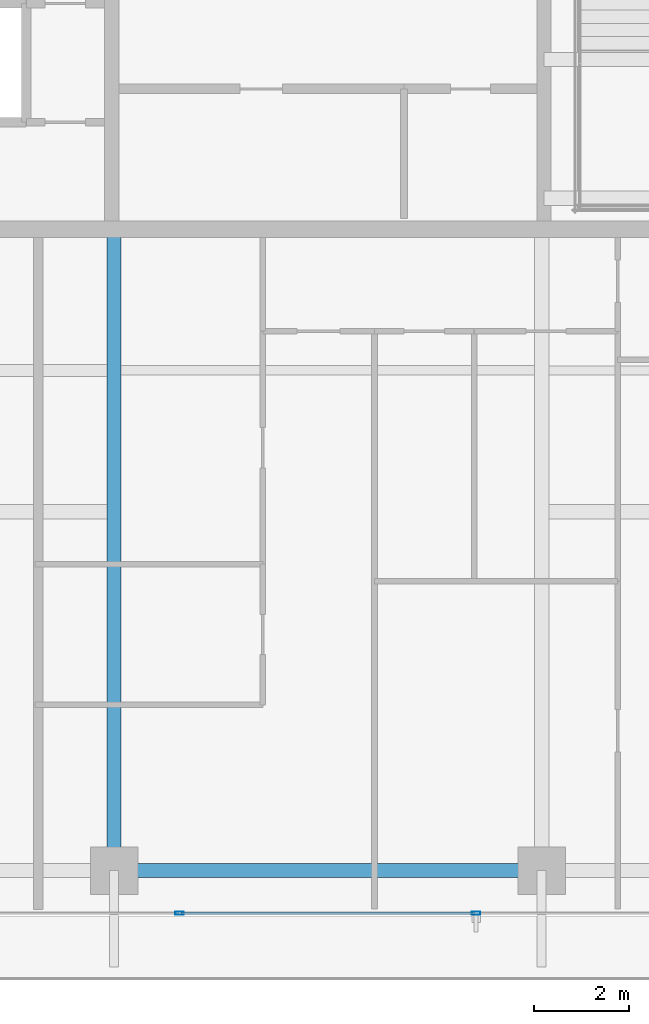
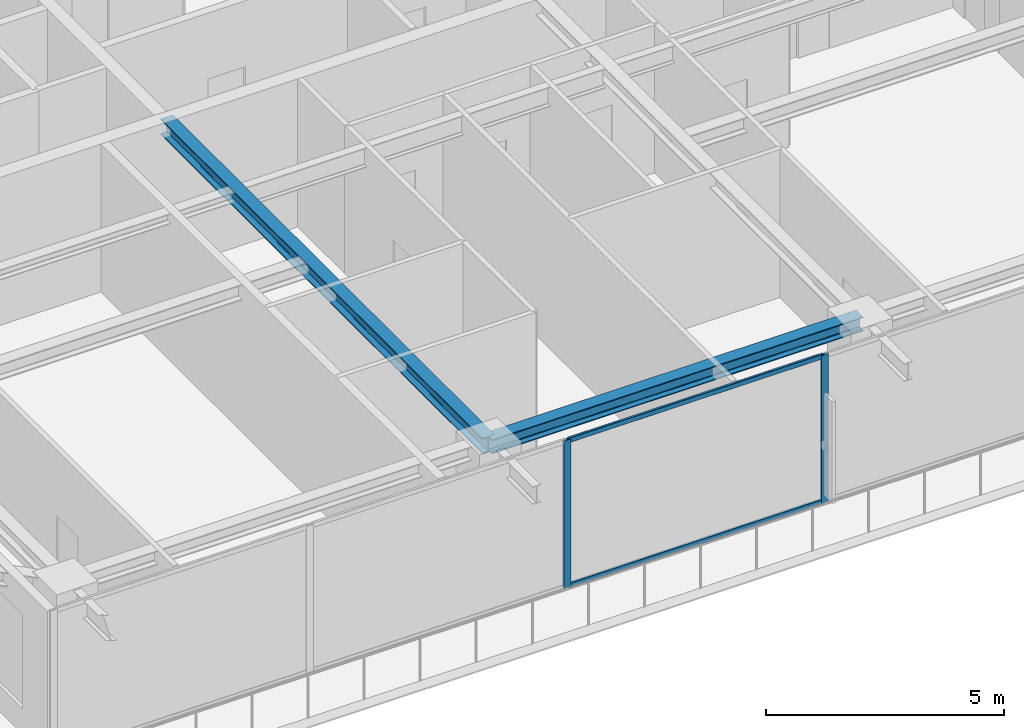
# One storey, part 6 of 40: 4 members, 2 beams, 1 element without a shape of its own.
"""IFC4 building model written with IfcOpenShell, lengths in metres."""

from ifc_helpers import new_model, si_unit, direction, frame, origin, origin_2d, place, context, subcontext, project, spatial, hollow_rectangle, i_section, extrude, source, transform, mapped, material, layer, layer_set, material_profile, profile_set, type_object, element, aggregate, save


model = new_model("IFC4")

# Units and contexts
model_context = context("Model", 3, precision=1e-05, world=origin(), true_north=direction((0.0, 1.0)))
body_context = subcontext(model_context, "Body", "Model", "MODEL_VIEW")
ifc_project = project(units=[si_unit("LENGTHUNIT", "METRE"), si_unit("AREAUNIT", "SQUARE_METRE"), si_unit("VOLUMEUNIT", "CUBIC_METRE"), si_unit("PLANEANGLEUNIT", "RADIAN"), si_unit("MASSUNIT", "GRAM", prefix="KILO")], contexts=[model_context])

# Site, building, storey
site_placement = place(None, origin())
site = spatial("IfcSite", under=ifc_project, at=site_placement, CompositionType="ELEMENT")
building_placement = place(site_placement, origin())
building = spatial("IfcBuilding", under=site, at=building_placement, Name="Serunith Strait Residences", CompositionType="ELEMENT")
storey_placement = place(building_placement, frame((0.0, 0.0, 313.699951171875)))
storey = spatial("IfcBuildingStorey", under=building, at=storey_placement, Name="L78", CompositionType="ELEMENT", Elevation=313.699951171875)

# Beams
ifc_material_1 = material(Name="Steel S355J2", Category="steel")
ifc_material_profile_1 = material_profile(ifc_material_1, i_section(OverallWidth=0.300048828125, OverallDepth=0.39990234375, WebThickness=0.013427734375, FlangeThickness=0.02392578125, FilletRadius=0.027099609375, at=origin_2d()), Name="HEB 400")
ifc_profile_set_1 = profile_set([ifc_material_profile_1], Name="Steel S355J2")
beam_type_1 = type_object("IfcBeamType", Name="BM-HEB400", PredefinedType="BEAM", material=ifc_profile_set_1)
shared_shape_1 = source(origin(), body_context, "Body", "SweptSolid", [
    extrude(i_section(OverallWidth=0.300048828125, OverallDepth=0.39990234375, WebThickness=0.013427734375, FlangeThickness=0.02392578125, FilletRadius=0.027099609375, at=origin_2d()), origin(), (0.0, 0.0, 1.0), 13.5),
])
beam_1_placement = place(storey_placement, frame((27.89990234375, 16.800048828125, 3.587158203125), z_axis=(0.0, -1.0, 0.0), x_axis=(1.0, 0.0, 0.0)))
element("IfcBeam", 1, at=beam_1_placement, inside=storey, type_object=beam_type_1, Name="L78 Primary Floor Girder TC-S2", PredefinedType="BEAM", context=body_context, shape_type="MappedRepresentation", body=[
    mapped(shared_shape_1, transform((0.0, 0.0, 0.0), scale=1.0)),
])
ifc_material_profile_2 = material_profile(ifc_material_1, i_section(OverallWidth=0.300048828125, OverallDepth=0.360107421875, WebThickness=0.012451171875, FlangeThickness=0.0224609375, FilletRadius=0.027099609375, at=origin_2d()), Name="HEB 360")
ifc_profile_set_2 = profile_set([ifc_material_profile_2], Name="Steel S355J2")
beam_type_2 = type_object("IfcBeamType", Name="BM-HEB360", PredefinedType="BEAM", material=ifc_profile_set_2)
shared_shape_2 = source(origin(), body_context, "Body", "SweptSolid", [
    extrude(i_section(OverallWidth=0.300048828125, OverallDepth=0.360107421875, WebThickness=0.012451171875, FlangeThickness=0.0224609375, FilletRadius=0.027099609375, at=origin_2d()), origin(), (0.0, 0.0, 1.0), 9.0),
])
beam_2_placement = place(storey_placement, frame((27.89990234375, 3.300048828125, 3.60693359375), z_axis=(1.0, 0.0, 0.0), x_axis=(0.0, 1.0, 0.0)))
element("IfcBeam", 2, at=beam_2_placement, inside=storey, type_object=beam_type_2, Name="L78 Perimeter Ring Beam 02", PredefinedType="BEAM", context=body_context, shape_type="MappedRepresentation", body=[
    mapped(shared_shape_2, transform((0.0, 0.0, 0.0), scale=1.0)),
])

# Curtain wall, members
ifc_material_2 = material(Name="Brushed Stainless-Silver Aluminium", Category="aluminium")
ifc_layer = layer(ifc_material_2, 0.199951171875, Name="Brushed Stainless-Silver Aluminium")
ifc_layer_set = layer_set([ifc_layer], Name="Brushed Stainless-Silver Aluminium")
curtain_wall_type = type_object("IfcCurtainWallType", Name="CW-SYS5", PredefinedType="NOTDEFINED", material=ifc_layer_set)
curtain_wall_placement = place(storey_placement, origin())
curtain_wall = element("IfcCurtainWall", 3, at=curtain_wall_placement, inside=storey, type_object=curtain_wall_type, Name="L78 S Unitised Fritted Curtain Wall", PredefinedType="NOTDEFINED")
ifc_material_profile_3 = material_profile(ifc_material_2, hollow_rectangle(XDim=0.06494140625, YDim=0.179931640625, WallThickness=0.00341796875, InnerFilletRadius=0.00537109375, OuterFilletRadius=0.0087890625, at=origin_2d()), Name="ALU 180x65x3.5")
ifc_profile_set_3 = profile_set([ifc_material_profile_3], Name="Brushed Stainless-Silver Aluminium")
member_type_1 = type_object("IfcMemberType", Name="CW-SYS5-MULL", PredefinedType="MULLION", material=ifc_profile_set_3)
shared_shape_3 = source(origin(), body_context, "Body", "SweptSolid", [
    extrude(hollow_rectangle(XDim=0.06494140625, YDim=0.179931640625, WallThickness=0.00341796875, InnerFilletRadius=0.00537109375, OuterFilletRadius=0.0087890625, at=origin_2d()), origin(), (0.0, 0.0, 1.0), 3.775146484375),
])
member_1_placement = place(storey_placement, frame((29.280029296875, 2.39990234375, 0.0), z_axis=(0.0, 0.0, 1.0), x_axis=(0.0, 1.0, 0.0)))
member_1 = element("IfcMember", 4, at=member_1_placement, type_object=member_type_1, Name="CW-5 mullion 3", PredefinedType="MULLION", context=body_context, shape_type="MappedRepresentation", body=[
    mapped(shared_shape_3, transform((0.0, 0.0, 0.0), scale=1.0)),
])
member_2_placement = place(storey_placement, frame((35.52001953125, 2.39990234375, 0.0), z_axis=(0.0, 0.0, 1.0), x_axis=(0.0, 1.0, 0.0)))
member_2 = element("IfcMember", 5, at=member_2_placement, type_object=member_type_1, Name="CW-5 mullion 4", PredefinedType="MULLION", context=body_context, shape_type="MappedRepresentation", body=[
    mapped(shared_shape_3, transform((0.0, 0.0, 0.0), scale=1.0)),
])
ifc_material_profile_4 = material_profile(ifc_material_2, hollow_rectangle(XDim=0.06005859375, YDim=0.1201171875, WallThickness=0.00341796875, InnerFilletRadius=0.00537109375, OuterFilletRadius=0.0087890625, at=origin_2d()), Name="ALU 120x60x3.5")
ifc_profile_set_4 = profile_set([ifc_material_profile_4], Name="Brushed Stainless-Silver Aluminium")
member_type_2 = type_object("IfcMemberType", Name="CW-SYS5-TRAN", PredefinedType="USERDEFINED", material=ifc_profile_set_4)
shared_shape_4 = source(origin(), body_context, "Body", "SweptSolid", [
    extrude(hollow_rectangle(XDim=0.06005859375, YDim=0.1201171875, WallThickness=0.00341796875, InnerFilletRadius=0.00537109375, OuterFilletRadius=0.0087890625, at=origin_2d()), origin(), (0.0, 0.0, 1.0), 6.175048828125),
])
member_3_placement = place(storey_placement, frame((29.3125, 2.39990234375, 0.030029296875), z_axis=(1.0, 0.0, 0.0), x_axis=(0.0, 1.0, 0.0)))
member_3 = element("IfcMember", 6, at=member_3_placement, type_object=member_type_2, Name="CW-5 transom 3.1", ObjectType="TRANSOM", PredefinedType="USERDEFINED", context=body_context, shape_type="MappedRepresentation", body=[
    mapped(shared_shape_4, transform((0.0, 0.0, 0.0), scale=1.0)),
])
member_4_placement = place(storey_placement, frame((29.3125, 2.39990234375, 3.7451171875), z_axis=(1.0, 0.0, 0.0), x_axis=(0.0, 1.0, 0.0)))
member_4 = element("IfcMember", 7, at=member_4_placement, type_object=member_type_2, Name="CW-5 transom 3.2", ObjectType="TRANSOM", PredefinedType="USERDEFINED", context=body_context, shape_type="MappedRepresentation", body=[
    mapped(shared_shape_4, transform((0.0, 0.0, 0.0), scale=1.0)),
])
aggregate(curtain_wall, [member_1, member_2, member_3, member_4])

save(model, "model.ifc")
